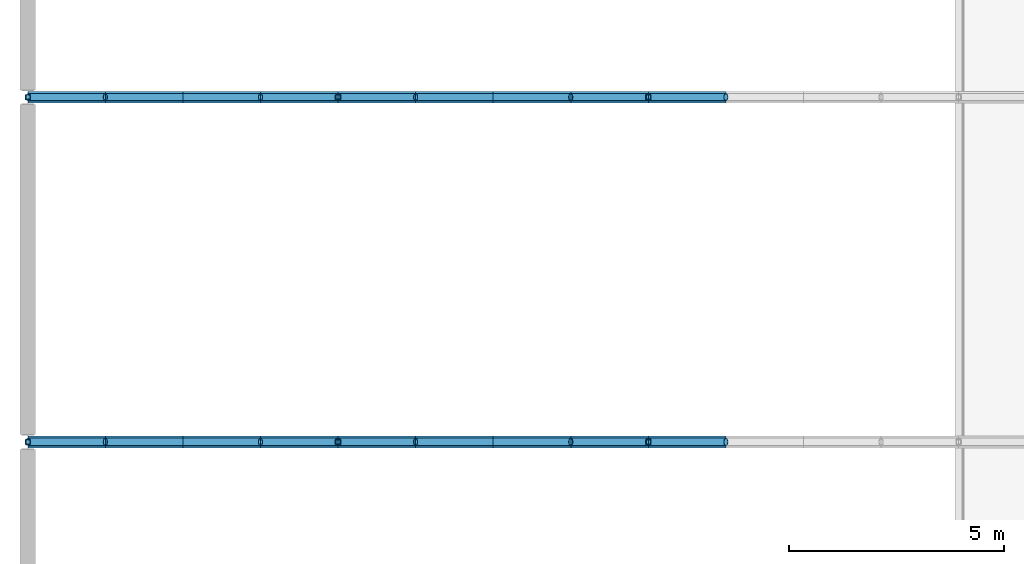
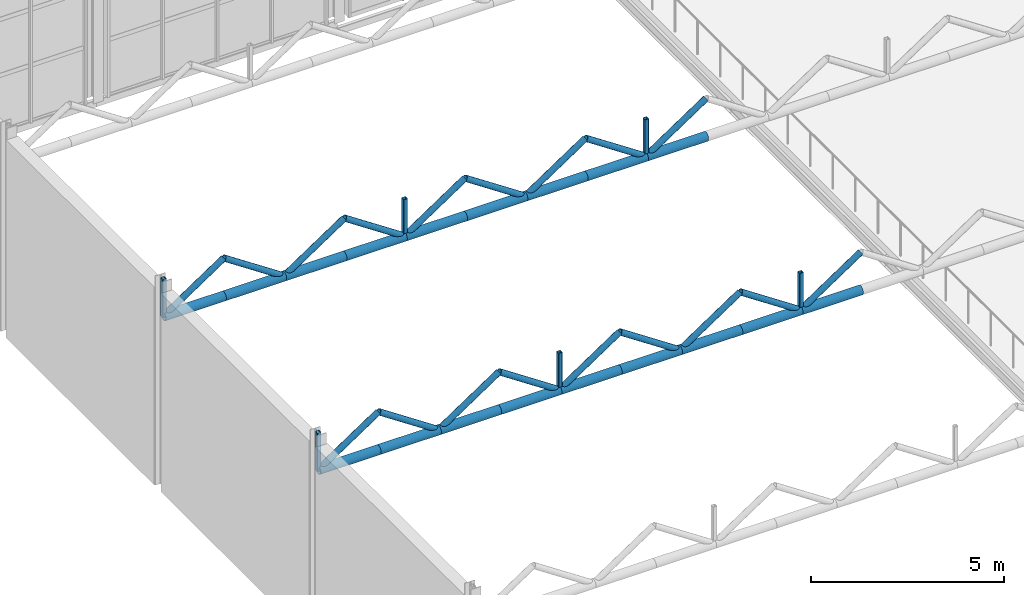
# One storey, part 87 of 153: 42 members.
"""IFC4 building model written with IfcOpenShell, lengths in metres."""

from ifc_helpers import new_model, si_unit, derived_unit, direction, frame, origin, origin_2d, place, context, subcontext, project, spatial, hollow_rectangle, hollow_circle, extrude, material, material_profile, profile_set, type_object, element, save


model = new_model("IFC4")

# Units and contexts
model_context = context("Model", 3, precision=1e-05, world=origin(), true_north=direction((0.0, 1.0)))
body_context = subcontext(model_context, "Body", "Model", "MODEL_VIEW")
ifc_project = project(units=[si_unit("LENGTHUNIT", "METRE"), si_unit("AREAUNIT", "SQUARE_METRE"), si_unit("VOLUMEUNIT", "CUBIC_METRE"), si_unit("PLANEANGLEUNIT", "RADIAN"), si_unit("MASSUNIT", "GRAM", prefix="KILO"), derived_unit("THERMALTRANSMITTANCEUNIT", [(si_unit("POWERUNIT", "WATT"), 1), (si_unit("LENGTHUNIT", "METRE"), -2), (si_unit("THERMODYNAMICTEMPERATUREUNIT", "KELVIN"), -1)])], contexts=[model_context])

# Site, building, storey
site_placement = place(None, origin())
site = spatial("IfcSite", under=ifc_project, at=site_placement, CompositionType="ELEMENT")
building_placement = place(site_placement, origin())
building = spatial("IfcBuilding", under=site, at=building_placement, Name="Keldorne Ridge Multi-Sports Centre", CompositionType="ELEMENT")
storey_placement = place(building_placement, frame((0.0, 0.0, 9.60009765625)))
storey = spatial("IfcBuildingStorey", under=building, at=storey_placement, Name="L02", CompositionType="ELEMENT", Elevation=9.60009765625)

# Members
ifc_material = material(Name="Steel S355", Category="steel")
ifc_material_profile_1 = material_profile(ifc_material, hollow_circle(Radius=0.136474609375, WallThickness=0.012451171875, at=origin_2d()), Name="CHS 273x12.5")
ifc_profile_set_1 = profile_set([ifc_material_profile_1], Name="Steel S355")
member_type_1 = type_object("IfcMemberType", Name="MEM-TC-05", PredefinedType="CHORD", material=ifc_profile_set_1)
for number, where, z_axis, x_axis, name in (
    (1, (6.0, 90.0, 5.3798828125), (1.0, 0.0, 0.0), (0.0, 1.0, 0.0), "Climbing sawtooth ROOF TRUSS ST-03 bottom chord 1"),
    (2, (7.800048828125, 90.0, 5.3798828125), (1.0, 0.0, 0.0), (0.0, 1.0, 0.0), "Climbing sawtooth ROOF TRUSS ST-03 bottom chord 2"),
):
    element("IfcMember", number, at=place(storey_placement, frame(where, z_axis=z_axis, x_axis=x_axis)), inside=storey, type_object=member_type_1, Name=name, PredefinedType="CHORD", context=body_context, shape_type="SweptSolid", body=[
        extrude(hollow_circle(Radius=0.136474609375, WallThickness=0.012451171875, at=origin_2d()), origin(), (0.0, 0.0, 1.0), 1.800048828125),
    ])
member_1_placement = place(storey_placement, frame((9.60009765625, 90.0, 5.3798828125), z_axis=(1.0, 0.0, 0.0), x_axis=(0.0, 1.0, 0.0)))
element("IfcMember", 3, at=member_1_placement, inside=storey, type_object=member_type_1, Name="Climbing sawtooth ROOF TRUSS ST-03 bottom chord 3", PredefinedType="CHORD", context=body_context, shape_type="SweptSolid", body=[
    extrude(hollow_circle(Radius=0.136474609375, WallThickness=0.012451171875, at=origin_2d()), origin(), (0.0, 0.0, 1.0), 1.7998046875),
])
for number, where, z_axis, x_axis, name in (
    (4, (11.39990234375, 90.0, 5.3798828125), (1.0, 0.0, 0.0), (0.0, 1.0, 0.0), "Climbing sawtooth ROOF TRUSS ST-03 bottom chord 4"),
    (5, (13.199951171875, 90.0, 5.3798828125), (1.0, 0.0, 0.0), (0.0, 1.0, 0.0), "Climbing sawtooth ROOF TRUSS ST-03 bottom chord 5"),
    (6, (15.0, 90.0, 5.3798828125), (1.0, 0.0, 0.0), (0.0, 1.0, 0.0), "Climbing sawtooth ROOF TRUSS ST-03 bottom chord 6"),
    (7, (16.800048828125, 90.0, 5.3798828125), (1.0, 0.0, 0.0), (0.0, 1.0, 0.0), "Climbing sawtooth ROOF TRUSS ST-03 bottom chord 7"),
):
    element("IfcMember", number, at=place(storey_placement, frame(where, z_axis=z_axis, x_axis=x_axis)), inside=storey, type_object=member_type_1, Name=name, PredefinedType="CHORD", context=body_context, shape_type="SweptSolid", body=[
        extrude(hollow_circle(Radius=0.136474609375, WallThickness=0.012451171875, at=origin_2d()), origin(), (0.0, 0.0, 1.0), 1.800048828125),
    ])
member_2_placement = place(storey_placement, frame((18.60009765625, 90.0, 5.3798828125), z_axis=(1.0, 0.0, 0.0), x_axis=(0.0, 1.0, 0.0)))
element("IfcMember", 8, at=member_2_placement, inside=storey, type_object=member_type_1, Name="Climbing sawtooth ROOF TRUSS ST-03 bottom chord 8", PredefinedType="CHORD", context=body_context, shape_type="SweptSolid", body=[
    extrude(hollow_circle(Radius=0.136474609375, WallThickness=0.012451171875, at=origin_2d()), origin(), (0.0, 0.0, 1.0), 1.7998046875),
])
for number, where, z_axis, x_axis, name in (
    (9, (20.39990234375, 90.0, 5.3798828125), (1.0, 0.0, 0.0), (0.0, 1.0, 0.0), "Climbing sawtooth ROOF TRUSS ST-03 bottom chord 9"),
    (10, (6.0, 98.0, 5.3798828125), (1.0, 0.0, 0.0), (0.0, 1.0, 0.0), "Climbing sawtooth ROOF TRUSS ST-04 bottom chord 1"),
    (11, (7.800048828125, 98.0, 5.3798828125), (1.0, 0.0, 0.0), (0.0, 1.0, 0.0), "Climbing sawtooth ROOF TRUSS ST-04 bottom chord 2"),
):
    element("IfcMember", number, at=place(storey_placement, frame(where, z_axis=z_axis, x_axis=x_axis)), inside=storey, type_object=member_type_1, Name=name, PredefinedType="CHORD", context=body_context, shape_type="SweptSolid", body=[
        extrude(hollow_circle(Radius=0.136474609375, WallThickness=0.012451171875, at=origin_2d()), origin(), (0.0, 0.0, 1.0), 1.800048828125),
    ])
member_3_placement = place(storey_placement, frame((9.60009765625, 98.0, 5.3798828125), z_axis=(1.0, 0.0, 0.0), x_axis=(0.0, 1.0, 0.0)))
element("IfcMember", 12, at=member_3_placement, inside=storey, type_object=member_type_1, Name="Climbing sawtooth ROOF TRUSS ST-04 bottom chord 3", PredefinedType="CHORD", context=body_context, shape_type="SweptSolid", body=[
    extrude(hollow_circle(Radius=0.136474609375, WallThickness=0.012451171875, at=origin_2d()), origin(), (0.0, 0.0, 1.0), 1.7998046875),
])
for number, where, z_axis, x_axis, name in (
    (13, (11.39990234375, 98.0, 5.3798828125), (1.0, 0.0, 0.0), (0.0, 1.0, 0.0), "Climbing sawtooth ROOF TRUSS ST-04 bottom chord 4"),
    (14, (13.199951171875, 98.0, 5.3798828125), (1.0, 0.0, 0.0), (0.0, 1.0, 0.0), "Climbing sawtooth ROOF TRUSS ST-04 bottom chord 5"),
    (15, (15.0, 98.0, 5.3798828125), (1.0, 0.0, 0.0), (0.0, 1.0, 0.0), "Climbing sawtooth ROOF TRUSS ST-04 bottom chord 6"),
    (16, (16.800048828125, 98.0, 5.3798828125), (1.0, 0.0, 0.0), (0.0, 1.0, 0.0), "Climbing sawtooth ROOF TRUSS ST-04 bottom chord 7"),
):
    element("IfcMember", number, at=place(storey_placement, frame(where, z_axis=z_axis, x_axis=x_axis)), inside=storey, type_object=member_type_1, Name=name, PredefinedType="CHORD", context=body_context, shape_type="SweptSolid", body=[
        extrude(hollow_circle(Radius=0.136474609375, WallThickness=0.012451171875, at=origin_2d()), origin(), (0.0, 0.0, 1.0), 1.800048828125),
    ])
member_4_placement = place(storey_placement, frame((18.60009765625, 98.0, 5.3798828125), z_axis=(1.0, 0.0, 0.0), x_axis=(0.0, 1.0, 0.0)))
element("IfcMember", 17, at=member_4_placement, inside=storey, type_object=member_type_1, Name="Climbing sawtooth ROOF TRUSS ST-04 bottom chord 8", PredefinedType="CHORD", context=body_context, shape_type="SweptSolid", body=[
    extrude(hollow_circle(Radius=0.136474609375, WallThickness=0.012451171875, at=origin_2d()), origin(), (0.0, 0.0, 1.0), 1.7998046875),
])
member_5_placement = place(storey_placement, frame((20.39990234375, 98.0, 5.3798828125), z_axis=(1.0, 0.0, 0.0), x_axis=(0.0, 1.0, 0.0)))
element("IfcMember", 18, at=member_5_placement, inside=storey, type_object=member_type_1, Name="Climbing sawtooth ROOF TRUSS ST-04 bottom chord 9", PredefinedType="CHORD", context=body_context, shape_type="SweptSolid", body=[
    extrude(hollow_circle(Radius=0.136474609375, WallThickness=0.012451171875, at=origin_2d()), origin(), (0.0, 0.0, 1.0), 1.800048828125),
])
ifc_material_profile_2 = material_profile(ifc_material, hollow_circle(Radius=0.0888671875, WallThickness=0.010009765625, at=origin_2d()), Name="CHS 177.8x10")
ifc_profile_set_2 = profile_set([ifc_material_profile_2], Name="Steel S355")
member_type_2 = type_object("IfcMemberType", Name="MEM-TD-03", PredefinedType="BRACE", material=ifc_profile_set_2)
for number, where, z_axis, x_axis, name in (
    (19, (6.0, 90.0, 5.3798828125), (0.832067655982, 0.0, 0.554674152876), (0.0, 1.0, 0.0), "Climbing sawtooth web diagonal 03.1"),
    (20, (7.800048828125, 90.0, 6.579833984375), (0.832067655982, 0.0, -0.554674152876), (0.0, 1.0, 0.0), "Climbing sawtooth web diagonal 03.2"),
):
    element("IfcMember", number, at=place(storey_placement, frame(where, z_axis=z_axis, x_axis=x_axis)), inside=storey, type_object=member_type_2, Name=name, PredefinedType="BRACE", context=body_context, shape_type="SweptSolid", body=[
        extrude(hollow_circle(Radius=0.0888671875, WallThickness=0.010009765625, at=origin_2d()), origin(), (0.0, 0.0, 1.0), 2.163330078125),
    ])
member_6_placement = place(storey_placement, frame((9.60009765625, 90.0, 5.3798828125), z_axis=(0.832032930248, 0.0, 0.554726241477), x_axis=(0.0, 1.0, 0.0)))
element("IfcMember", 21, at=member_6_placement, inside=storey, type_object=member_type_2, Name="Climbing sawtooth web diagonal 03.3", PredefinedType="BRACE", context=body_context, shape_type="SweptSolid", body=[
    extrude(hollow_circle(Radius=0.0888671875, WallThickness=0.010009765625, at=origin_2d()), origin(), (0.0, 0.0, 1.0), 2.1630859375),
])
for number, where, z_axis, x_axis, name in (
    (22, (11.39990234375, 90.0, 6.579833984375), (0.832067655982, 0.0, -0.554674152876), (0.0, 1.0, 0.0), "Climbing sawtooth web diagonal 03.4"),
    (23, (13.199951171875, 90.0, 5.3798828125), (0.832067655982, 0.0, 0.554674152876), (0.0, 1.0, 0.0), "Climbing sawtooth web diagonal 03.5"),
    (24, (15.0, 90.0, 6.579833984375), (0.832067655982, 0.0, -0.554674152876), (0.0, 1.0, 0.0), "Climbing sawtooth web diagonal 03.6"),
    (25, (16.800048828125, 90.0, 5.3798828125), (0.832067655982, 0.0, 0.554674152876), (0.0, 1.0, 0.0), "Climbing sawtooth web diagonal 03.7"),
):
    element("IfcMember", number, at=place(storey_placement, frame(where, z_axis=z_axis, x_axis=x_axis)), inside=storey, type_object=member_type_2, Name=name, PredefinedType="BRACE", context=body_context, shape_type="SweptSolid", body=[
        extrude(hollow_circle(Radius=0.0888671875, WallThickness=0.010009765625, at=origin_2d()), origin(), (0.0, 0.0, 1.0), 2.163330078125),
    ])
member_7_placement = place(storey_placement, frame((18.60009765625, 90.0, 6.579833984375), z_axis=(0.832032930248, 0.0, -0.554726241477), x_axis=(0.0, 1.0, 0.0)))
element("IfcMember", 26, at=member_7_placement, inside=storey, type_object=member_type_2, Name="Climbing sawtooth web diagonal 03.8", PredefinedType="BRACE", context=body_context, shape_type="SweptSolid", body=[
    extrude(hollow_circle(Radius=0.0888671875, WallThickness=0.010009765625, at=origin_2d()), origin(), (0.0, 0.0, 1.0), 2.1630859375),
])
for number, where, z_axis, x_axis, name in (
    (27, (20.39990234375, 90.0, 5.3798828125), (0.832067655982, 0.0, 0.554674152876), (0.0, 1.0, 0.0), "Climbing sawtooth web diagonal 03.9"),
    (28, (6.0, 98.0, 5.3798828125), (0.832067655982, 0.0, 0.554674152876), (0.0, 1.0, 0.0), "Climbing sawtooth web diagonal 04.1"),
    (29, (7.800048828125, 98.0, 6.579833984375), (0.832067655982, 0.0, -0.554674152876), (0.0, 1.0, 0.0), "Climbing sawtooth web diagonal 04.2"),
):
    element("IfcMember", number, at=place(storey_placement, frame(where, z_axis=z_axis, x_axis=x_axis)), inside=storey, type_object=member_type_2, Name=name, PredefinedType="BRACE", context=body_context, shape_type="SweptSolid", body=[
        extrude(hollow_circle(Radius=0.0888671875, WallThickness=0.010009765625, at=origin_2d()), origin(), (0.0, 0.0, 1.0), 2.163330078125),
    ])
member_8_placement = place(storey_placement, frame((9.60009765625, 98.0, 5.3798828125), z_axis=(0.832032930248, 0.0, 0.554726241477), x_axis=(0.0, 1.0, 0.0)))
element("IfcMember", 30, at=member_8_placement, inside=storey, type_object=member_type_2, Name="Climbing sawtooth web diagonal 04.3", PredefinedType="BRACE", context=body_context, shape_type="SweptSolid", body=[
    extrude(hollow_circle(Radius=0.0888671875, WallThickness=0.010009765625, at=origin_2d()), origin(), (0.0, 0.0, 1.0), 2.1630859375),
])
for number, where, z_axis, x_axis, name in (
    (31, (11.39990234375, 98.0, 6.579833984375), (0.832067655982, 0.0, -0.554674152876), (0.0, 1.0, 0.0), "Climbing sawtooth web diagonal 04.4"),
    (32, (13.199951171875, 98.0, 5.3798828125), (0.832067655982, 0.0, 0.554674152876), (0.0, 1.0, 0.0), "Climbing sawtooth web diagonal 04.5"),
    (33, (15.0, 98.0, 6.579833984375), (0.832067655982, 0.0, -0.554674152876), (0.0, 1.0, 0.0), "Climbing sawtooth web diagonal 04.6"),
    (34, (16.800048828125, 98.0, 5.3798828125), (0.832067655982, 0.0, 0.554674152876), (0.0, 1.0, 0.0), "Climbing sawtooth web diagonal 04.7"),
):
    element("IfcMember", number, at=place(storey_placement, frame(where, z_axis=z_axis, x_axis=x_axis)), inside=storey, type_object=member_type_2, Name=name, PredefinedType="BRACE", context=body_context, shape_type="SweptSolid", body=[
        extrude(hollow_circle(Radius=0.0888671875, WallThickness=0.010009765625, at=origin_2d()), origin(), (0.0, 0.0, 1.0), 2.163330078125),
    ])
member_9_placement = place(storey_placement, frame((18.60009765625, 98.0, 6.579833984375), z_axis=(0.832032930248, 0.0, -0.554726241477), x_axis=(0.0, 1.0, 0.0)))
element("IfcMember", 35, at=member_9_placement, inside=storey, type_object=member_type_2, Name="Climbing sawtooth web diagonal 04.8", PredefinedType="BRACE", context=body_context, shape_type="SweptSolid", body=[
    extrude(hollow_circle(Radius=0.0888671875, WallThickness=0.010009765625, at=origin_2d()), origin(), (0.0, 0.0, 1.0), 2.1630859375),
])
member_10_placement = place(storey_placement, frame((20.39990234375, 98.0, 5.3798828125), z_axis=(0.832067655982, 0.0, 0.554674152876), x_axis=(0.0, 1.0, 0.0)))
element("IfcMember", 36, at=member_10_placement, inside=storey, type_object=member_type_2, Name="Climbing sawtooth web diagonal 04.9", PredefinedType="BRACE", context=body_context, shape_type="SweptSolid", body=[
    extrude(hollow_circle(Radius=0.0888671875, WallThickness=0.010009765625, at=origin_2d()), origin(), (0.0, 0.0, 1.0), 2.163330078125),
])
ifc_material_profile_3 = material_profile(ifc_material, hollow_rectangle(XDim=0.1201171875, YDim=0.1201171875, WallThickness=0.008056640625, InnerFilletRadius=0.008056640625, OuterFilletRadius=0.01611328125, at=origin_2d()), Name="SHS 120x120x8")
ifc_profile_set_3 = profile_set([ifc_material_profile_3], Name="Steel S355")
member_type_3 = type_object("IfcMemberType", Name="MEM-TV-02", PredefinedType="STRUT", material=ifc_profile_set_3)
for number, where, z_axis, x_axis, name in (
    (37, (6.0, 90.0, 5.3798828125), (0.0, 0.0, 1.0), (1.0, 0.0, 0.0), "Climbing sawtooth vertical strut 03.1"),
    (38, (13.199951171875, 90.0, 5.3798828125), (0.0, 0.0, 1.0), (1.0, 0.0, 0.0), "Climbing sawtooth vertical strut 03.2"),
    (39, (20.39990234375, 90.0, 5.3798828125), (0.0, 0.0, 1.0), (1.0, 0.0, 0.0), "Climbing sawtooth vertical strut 03.3"),
    (40, (6.0, 98.0, 5.3798828125), (0.0, 0.0, 1.0), (1.0, 0.0, 0.0), "Climbing sawtooth vertical strut 04.1"),
    (41, (13.199951171875, 98.0, 5.3798828125), (0.0, 0.0, 1.0), (1.0, 0.0, 0.0), "Climbing sawtooth vertical strut 04.2"),
    (42, (20.39990234375, 98.0, 5.3798828125), (0.0, 0.0, 1.0), (1.0, 0.0, 0.0), "Climbing sawtooth vertical strut 04.3"),
):
    element("IfcMember", number, at=place(storey_placement, frame(where, z_axis=z_axis, x_axis=x_axis)), inside=storey, type_object=member_type_3, Name=name, PredefinedType="STRUT", context=body_context, shape_type="SweptSolid", body=[
        extrude(hollow_rectangle(XDim=0.1201171875, YDim=0.1201171875, WallThickness=0.008056640625, InnerFilletRadius=0.008056640625, OuterFilletRadius=0.01611328125, at=origin_2d()), origin(), (0.0, 0.0, 1.0), 1.199951171875),
    ])

save(model, "model.ifc")
